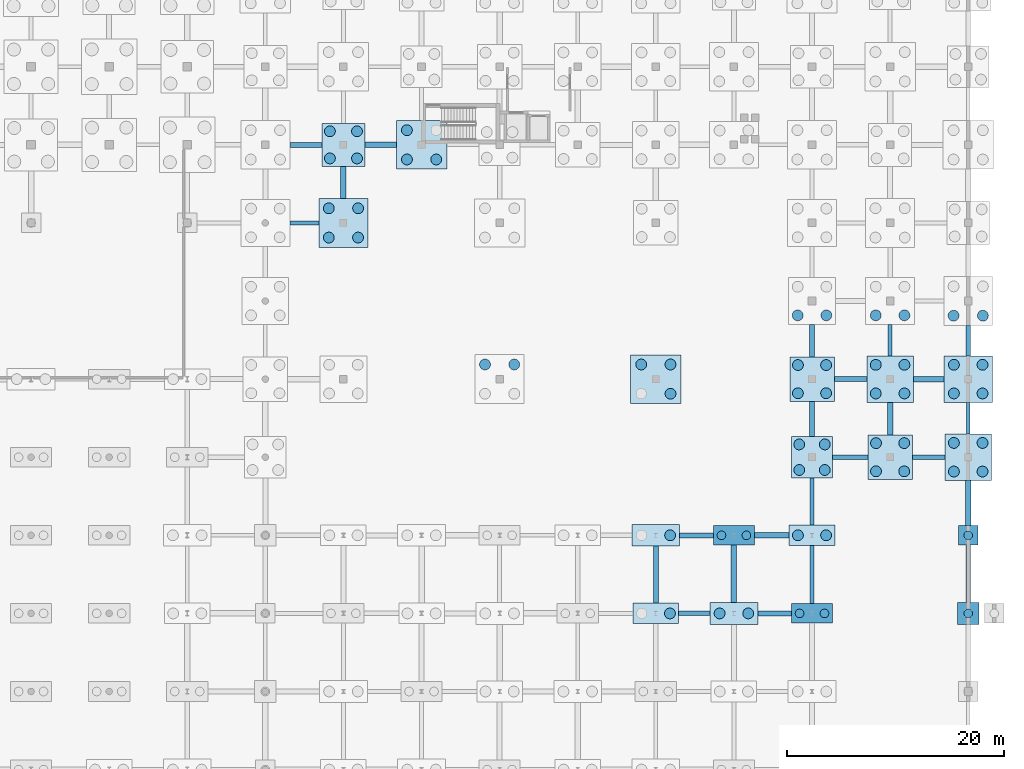
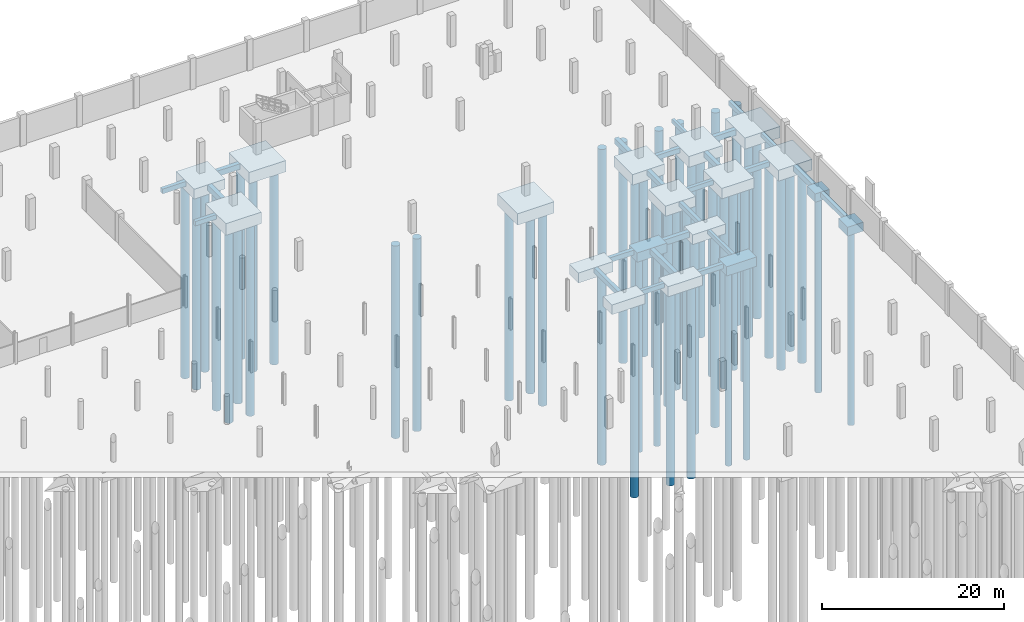
# One storey, part 16 of 56: 58 piles, 42 footings.
"""IFC4 building model written with IfcOpenShell, lengths in metres."""

from ifc_helpers import new_model, si_unit, direction, frame, origin, origin_2d, place, context, subcontext, project, spatial, rectangle, circle, extrude, material, material_profile, profile_set, type_object, element, save


model = new_model("IFC4")

# Units and contexts
model_context = context("Model", 3, precision=1e-05, world=origin(), true_north=direction((0.0, 1.0)))
body_context = subcontext(model_context, "Body", "Model", "MODEL_VIEW")
ifc_project = project(units=[si_unit("LENGTHUNIT", "METRE"), si_unit("AREAUNIT", "SQUARE_METRE"), si_unit("VOLUMEUNIT", "CUBIC_METRE"), si_unit("PLANEANGLEUNIT", "RADIAN"), si_unit("MASSUNIT", "GRAM", prefix="KILO")], contexts=[model_context])

# Site, building, storey
site_placement = place(None, origin())
site = spatial("IfcSite", under=ifc_project, at=site_placement, CompositionType="ELEMENT")
building_placement = place(site_placement, origin())
building = spatial("IfcBuilding", under=site, at=building_placement, Name="Suanplinth Sawtooth Commons", CompositionType="ELEMENT")
storey_placement = place(building_placement, frame((0.0, 0.0, -4.199951171875)))
storey = spatial("IfcBuildingStorey", under=building, at=storey_placement, Name="B1", CompositionType="ELEMENT", Elevation=-4.199951171875)

# Footings
ifc_material_1 = material(Name="Concrete C35/45", Category="concrete")
ifc_material_profile_1 = material_profile(ifc_material_1, rectangle(XDim=0.449951171875, YDim=0.64990234375, at=origin_2d()), Name="PC-GDR 450x650")
ifc_profile_set_1 = profile_set([ifc_material_profile_1], Name="Concrete C35/45")
footing_type_1 = type_object("IfcFootingType", Name="FB-01", PredefinedType="FOOTING_BEAM", material=ifc_profile_set_1)
footing_1_placement = place(storey_placement, frame((124.64990234375, 108.0, -0.824951171875), z_axis=(1.0, 0.0, 0.0), x_axis=(0.0, 1.0, 0.0)))
element("IfcFooting", 1, at=footing_1_placement, inside=storey, type_object=footing_type_1, Name="Foundation Tie Beam 18-19/R", PredefinedType="FOOTING_BEAM", context=body_context, shape_type="SweptSolid", body=[
    extrude(rectangle(XDim=0.449951171875, YDim=0.64990234375, at=origin_2d()), origin(), (0.0, 0.0, 1.0), 2.97509765625),
])
footing_2_placement = place(storey_placement, frame((158.39990234375, 65.75, -0.824951171875), z_axis=(0.0, 1.0, 0.0), x_axis=(-1.0, 0.0, 0.0)))
element("IfcFooting", 2, at=footing_2_placement, inside=storey, type_object=footing_type_1, Name="Foundation Tie Beam 23/K-L", PredefinedType="FOOTING_BEAM", context=body_context, shape_type="SweptSolid", body=[
    extrude(rectangle(XDim=0.449951171875, YDim=0.64990234375, at=origin_2d()), origin(), (0.0, 0.0, 1.0), 5.25),
])
for number, where, z_axis, x_axis, name in (
    (3, (160.60009765625, 72.0, -0.824951171875), (1.0, 0.0, 0.0), (0.0, 1.0, 0.0), "Foundation Tie Beam 23-24/L"),
    (4, (167.800048828125, 64.800048828125, -0.824951171875), (1.0, 0.0, 0.0), (0.0, 1.0, 0.0), "Foundation Tie Beam 24-25/K"),
):
    element("IfcFooting", number, at=place(storey_placement, frame(where, z_axis=z_axis, x_axis=x_axis)), inside=storey, type_object=footing_type_1, Name=name, PredefinedType="FOOTING_BEAM", context=body_context, shape_type="SweptSolid", body=[
        extrude(rectangle(XDim=0.449951171875, YDim=0.64990234375, at=origin_2d()), origin(), (0.0, 0.0, 1.0), 3.099853515625),
    ])
footing_3_placement = place(storey_placement, frame((172.800048828125, 81.10009765625, -0.824951171875), z_axis=(0.0, 1.0, 0.0), x_axis=(-1.0, 0.0, 0.0)))
element("IfcFooting", 5, at=footing_3_placement, inside=storey, type_object=footing_type_1, Name="Foundation Tie Beam 25/M-N", PredefinedType="FOOTING_BEAM", context=body_context, shape_type="SweptSolid", body=[
    extrude(rectangle(XDim=0.449951171875, YDim=0.64990234375, at=origin_2d()), origin(), (0.0, 0.0, 1.0), 3.25),
])
for number, where, z_axis, x_axis, name in (
    (6, (174.85009765625, 86.39990234375, -0.824951171875), (1.0, 0.0, 0.0), (0.0, 1.0, 0.0), "Foundation Tie Beam 25-26/N"),
    (7, (182.050048828125, 79.199951171875, -0.824951171875), (1.0, 0.0, 0.0), (0.0, 1.0, 0.0), "Foundation Tie Beam 26-27/M"),
):
    element("IfcFooting", number, at=place(storey_placement, frame(where, z_axis=z_axis, x_axis=x_axis)), inside=storey, type_object=footing_type_1, Name=name, PredefinedType="FOOTING_BEAM", context=body_context, shape_type="SweptSolid", body=[
        extrude(rectangle(XDim=0.449951171875, YDim=0.64990234375, at=origin_2d()), origin(), (0.0, 0.0, 1.0), 3.0),
    ])
footing_4_placement = place(storey_placement, frame((187.199951171875, 65.800048828125, -0.824951171875), z_axis=(0.0, 1.0, 0.0), x_axis=(-1.0, 0.0, 0.0)))
element("IfcFooting", 8, at=footing_4_placement, inside=storey, type_object=footing_type_1, Name="Foundation Tie Beam 27/K-L", PredefinedType="FOOTING_BEAM", context=body_context, shape_type="SweptSolid", body=[
    extrude(rectangle(XDim=0.449951171875, YDim=0.64990234375, at=origin_2d()), origin(), (0.0, 0.0, 1.0), 5.300048828125),
])
ifc_material_profile_2 = material_profile(ifc_material_1, rectangle(XDim=0.5, YDim=0.75, at=origin_2d()), Name="RC-GDR 500x750")
ifc_profile_set_2 = profile_set([ifc_material_profile_2], Name="Concrete C35/45")
footing_type_2 = type_object("IfcFootingType", Name="FB-02", PredefinedType="FOOTING_BEAM", material=ifc_profile_set_2)
footing_5_placement = place(storey_placement, frame((129.60009765625, 103.050048828125, -0.875), z_axis=(0.0, 1.0, 0.0), x_axis=(-1.0, 0.0, 0.0)))
element("IfcFooting", 9, at=footing_5_placement, inside=storey, type_object=footing_type_2, Name="Foundation Tie Beam 19/Q-R", PredefinedType="FOOTING_BEAM", context=body_context, shape_type="SweptSolid", body=[
    extrude(rectangle(XDim=0.5, YDim=0.75, at=origin_2d()), origin(), (0.0, 0.0, 1.0), 2.974853515625),
])
footing_6_placement = place(storey_placement, frame((131.574951171875, 108.0, -0.875), z_axis=(1.0, 0.0, 0.0), x_axis=(0.0, 1.0, 0.0)))
element("IfcFooting", 10, at=footing_6_placement, inside=storey, type_object=footing_type_2, Name="Foundation Tie Beam 19-20/R", PredefinedType="FOOTING_BEAM", context=body_context, shape_type="SweptSolid", body=[
    extrude(rectangle(XDim=0.5, YDim=0.75, at=origin_2d()), origin(), (0.0, 0.0, 1.0), 2.900146484375),
])
footing_7_placement = place(storey_placement, frame((165.60009765625, 65.800048828125, -0.875), z_axis=(0.0, 1.0, 0.0), x_axis=(-1.0, 0.0, 0.0)))
element("IfcFooting", 11, at=footing_7_placement, inside=storey, type_object=footing_type_2, Name="Foundation Tie Beam 24/K-L", PredefinedType="FOOTING_BEAM", context=body_context, shape_type="SweptSolid", body=[
    extrude(rectangle(XDim=0.5, YDim=0.75, at=origin_2d()), origin(), (0.0, 0.0, 1.0), 5.300048828125),
])
footing_8_placement = place(storey_placement, frame((167.5, 72.0, -0.875), z_axis=(1.0, 0.0, 0.0), x_axis=(0.0, 1.0, 0.0)))
element("IfcFooting", 12, at=footing_8_placement, inside=storey, type_object=footing_type_2, Name="Foundation Tie Beam 24-25/L", PredefinedType="FOOTING_BEAM", context=body_context, shape_type="SweptSolid", body=[
    extrude(rectangle(XDim=0.5, YDim=0.75, at=origin_2d()), origin(), (0.0, 0.0, 1.0), 3.199951171875),
])
for number, where, z_axis, x_axis, name in (
    (13, (172.800048828125, 88.449951171875, -0.875), (0.0, 1.0, 0.0), (-1.0, 0.0, 0.0), "Foundation Tie Beam 25/N-P"),
    (14, (180.0, 81.25, -0.875), (0.0, 1.0, 0.0), (-1.0, 0.0, 0.0), "Foundation Tie Beam 26/M-N"),
):
    element("IfcFooting", number, at=place(storey_placement, frame(where, z_axis=z_axis, x_axis=x_axis)), inside=storey, type_object=footing_type_2, Name=name, PredefinedType="FOOTING_BEAM", context=body_context, shape_type="SweptSolid", body=[
        extrude(rectangle(XDim=0.5, YDim=0.75, at=origin_2d()), origin(), (0.0, 0.0, 1.0), 3.0),
    ])
footing_9_placement = place(storey_placement, frame((182.14990234375, 86.39990234375, -0.875), z_axis=(1.0, 0.0, 0.0), x_axis=(0.0, 1.0, 0.0)))
element("IfcFooting", 15, at=footing_9_placement, inside=storey, type_object=footing_type_2, Name="Foundation Tie Beam 26-27/N", PredefinedType="FOOTING_BEAM", context=body_context, shape_type="SweptSolid", body=[
    extrude(rectangle(XDim=0.5, YDim=0.75, at=origin_2d()), origin(), (0.0, 0.0, 1.0), 2.800048828125),
])
footing_10_placement = place(storey_placement, frame((187.199951171875, 72.89990234375, -0.875), z_axis=(0.0, 1.0, 0.0), x_axis=(-1.0, 0.0, 0.0)))
element("IfcFooting", 16, at=footing_10_placement, inside=storey, type_object=footing_type_2, Name="Foundation Tie Beam 27/L-M", PredefinedType="FOOTING_BEAM", context=body_context, shape_type="SweptSolid", body=[
    extrude(rectangle(XDim=0.5, YDim=0.75, at=origin_2d()), origin(), (0.0, 0.0, 1.0), 4.150146484375),
])
ifc_material_profile_3 = material_profile(ifc_material_1, rectangle(XDim=0.35009765625, YDim=0.550048828125, at=origin_2d()), Name="PC-BM 350x550")
ifc_profile_set_3 = profile_set([ifc_material_profile_3], Name="Concrete C35/45")
footing_type_3 = type_object("IfcFootingType", Name="FB-03", PredefinedType="FOOTING_BEAM", material=ifc_profile_set_3)
footing_11_placement = place(storey_placement, frame((172.800048828125, 65.699951171875, -0.775146484375), z_axis=(0.0, 1.0, 0.0), x_axis=(-1.0, 0.0, 0.0)))
element("IfcFooting", 17, at=footing_11_placement, inside=storey, type_object=footing_type_3, Name="Foundation Tie Beam 25/K-L", PredefinedType="FOOTING_BEAM", context=body_context, shape_type="SweptSolid", body=[
    extrude(rectangle(XDim=0.35009765625, YDim=0.550048828125, at=origin_2d()), origin(), (0.0, 0.0, 1.0), 5.35009765625),
])
for number, where, z_axis, x_axis, name in (
    (18, (180.0, 88.550048828125, -0.775146484375), (0.0, 1.0, 0.0), (-1.0, 0.0, 0.0), "Foundation Tie Beam 26/N-P"),
    (19, (187.199951171875, 81.35009765625, -0.775146484375), (0.0, 1.0, 0.0), (-1.0, 0.0, 0.0), "Foundation Tie Beam 27/M-N"),
):
    element("IfcFooting", number, at=place(storey_placement, frame(where, z_axis=z_axis, x_axis=x_axis)), inside=storey, type_object=footing_type_3, Name=name, PredefinedType="FOOTING_BEAM", context=body_context, shape_type="SweptSolid", body=[
        extrude(rectangle(XDim=0.35009765625, YDim=0.550048828125, at=origin_2d()), origin(), (0.0, 0.0, 1.0), 2.89990234375),
    ])
ifc_material_profile_4 = material_profile(ifc_material_1, rectangle(XDim=0.39990234375, YDim=0.60009765625, at=origin_2d()), Name="PC-GDR 400x600")
ifc_profile_set_4 = profile_set([ifc_material_profile_4], Name="Concrete C35/45")
footing_type_4 = type_object("IfcFootingType", Name="FB-04", PredefinedType="FOOTING_BEAM", material=ifc_profile_set_4)
footing_12_placement = place(storey_placement, frame((124.64990234375, 100.800048828125, -0.800048828125), z_axis=(1.0, 0.0, 0.0), x_axis=(0.0, 1.0, 0.0)))
element("IfcFooting", 20, at=footing_12_placement, inside=storey, type_object=footing_type_4, Name="Foundation Tie Beam 18-19/Q", PredefinedType="FOOTING_BEAM", context=body_context, shape_type="SweptSolid", body=[
    extrude(rectangle(XDim=0.39990234375, YDim=0.60009765625, at=origin_2d()), origin(), (0.0, 0.0, 1.0), 2.7001953125),
])
footing_13_placement = place(storey_placement, frame((160.5, 64.800048828125, -0.800048828125), z_axis=(1.0, 0.0, 0.0), x_axis=(0.0, 1.0, 0.0)))
element("IfcFooting", 21, at=footing_13_placement, inside=storey, type_object=footing_type_4, Name="Foundation Tie Beam 23-24/K", PredefinedType="FOOTING_BEAM", context=body_context, shape_type="SweptSolid", body=[
    extrude(rectangle(XDim=0.39990234375, YDim=0.60009765625, at=origin_2d()), origin(), (0.0, 0.0, 1.0), 2.89990234375),
])
footing_14_placement = place(storey_placement, frame((172.800048828125, 72.949951171875, -0.800048828125), z_axis=(0.0, 1.0, 0.0), x_axis=(-1.0, 0.0, 0.0)))
element("IfcFooting", 22, at=footing_14_placement, inside=storey, type_object=footing_type_4, Name="Foundation Tie Beam 25/L-M", PredefinedType="FOOTING_BEAM", context=body_context, shape_type="SweptSolid", body=[
    extrude(rectangle(XDim=0.39990234375, YDim=0.60009765625, at=origin_2d()), origin(), (0.0, 0.0, 1.0), 4.35009765625),
])
footing_15_placement = place(storey_placement, frame((174.699951171875, 79.199951171875, -0.800048828125), z_axis=(1.0, 0.0, 0.0), x_axis=(0.0, 1.0, 0.0)))
element("IfcFooting", 23, at=footing_15_placement, inside=storey, type_object=footing_type_4, Name="Foundation Tie Beam 25-26/M", PredefinedType="FOOTING_BEAM", context=body_context, shape_type="SweptSolid", body=[
    extrude(rectangle(XDim=0.39990234375, YDim=0.60009765625, at=origin_2d()), origin(), (0.0, 0.0, 1.0), 3.25),
])
footing_16_placement = place(storey_placement, frame((187.199951171875, 88.550048828125, -0.800048828125), z_axis=(0.0, 1.0, 0.0), x_axis=(-1.0, 0.0, 0.0)))
element("IfcFooting", 24, at=footing_16_placement, inside=storey, type_object=footing_type_4, Name="Foundation Tie Beam 27/N-P", PredefinedType="FOOTING_BEAM", context=body_context, shape_type="SweptSolid", body=[
    extrude(rectangle(XDim=0.39990234375, YDim=0.60009765625, at=origin_2d()), origin(), (0.0, 0.0, 1.0), 2.800048828125),
])
footing_type_5 = type_object("IfcFootingType", Name="FC-01", PredefinedType="PILE_CAP", material=ifc_material_1)
footing_17_placement = place(storey_placement, frame((187.199951171875, 72.0, -1.60009765625), z_axis=(0.0, 0.0, 1.0), x_axis=(1.0, 0.0, 0.0)))
element("IfcFooting", 25, at=footing_17_placement, inside=storey, type_object=footing_type_5, Name="Pile Cap 27/L", PredefinedType="PILE_CAP", context=body_context, shape_type="SweptSolid", body=[
    extrude(rectangle(XDim=1.800048828125, YDim=1.800048828125, at=origin_2d()), origin(), (0.0, 0.0, 1.0), 1.10009765625),
])
footing_type_6 = type_object("IfcFootingType", Name="FC-02", PredefinedType="PILE_CAP", material=ifc_material_1)
footing_18_placement = place(storey_placement, frame((187.199951171875, 64.800048828125, -1.7001953125), z_axis=(0.0, 0.0, 1.0), x_axis=(1.0, 0.0, 0.0)))
element("IfcFooting", 26, at=footing_18_placement, inside=storey, type_object=footing_type_6, Name="Pile Cap 27/K", PredefinedType="PILE_CAP", context=body_context, shape_type="SweptSolid", body=[
    extrude(rectangle(XDim=2.0, YDim=2.0, at=origin_2d()), origin(), (0.0, 0.0, 1.0), 1.199951171875),
])
footing_type_7 = type_object("IfcFootingType", Name="FC-03", PredefinedType="PILE_CAP", material=ifc_material_1)
for number, where, z_axis, x_axis, name in (
    (27, (165.60009765625, 72.0, -1.75), (0.0, 0.0, 1.0), (1.0, 0.0, 0.0), "Pile Cap 24/L"),
    (28, (172.800048828125, 64.800048828125, -1.75), (0.0, 0.0, 1.0), (1.0, 0.0, 0.0), "Pile Cap 25/K"),
):
    element("IfcFooting", number, at=place(storey_placement, frame(where, z_axis=z_axis, x_axis=x_axis)), inside=storey, type_object=footing_type_7, Name=name, PredefinedType="PILE_CAP", context=body_context, shape_type="SweptSolid", body=[
        extrude(rectangle(XDim=3.800048828125, YDim=1.800048828125, at=origin_2d()), origin(), (0.0, 0.0, 1.0), 1.25),
    ])
footing_type_8 = type_object("IfcFootingType", Name="FC-04", PredefinedType="PILE_CAP", material=ifc_material_1)
for number, where, z_axis, x_axis, name in (
    (29, (158.39990234375, 64.800048828125, -1.80029296875), (0.0, 0.0, 1.0), (1.0, 0.0, 0.0), "Pile Cap 23/K"),
    (30, (172.800048828125, 72.0, -1.80029296875), (0.0, 0.0, 1.0), (1.0, 0.0, 0.0), "Pile Cap 25/L"),
):
    element("IfcFooting", number, at=place(storey_placement, frame(where, z_axis=z_axis, x_axis=x_axis)), inside=storey, type_object=footing_type_8, Name=name, PredefinedType="PILE_CAP", context=body_context, shape_type="SweptSolid", body=[
        extrude(rectangle(XDim=4.199951171875, YDim=1.89990234375, at=origin_2d()), origin(), (0.0, 0.0, 1.0), 1.300048828125),
    ])
footing_type_9 = type_object("IfcFootingType", Name="FC-05", PredefinedType="PILE_CAP", material=ifc_material_1)
for number, where, z_axis, x_axis, name in (
    (31, (158.39990234375, 72.0, -1.85009765625), (0.0, 0.0, 1.0), (1.0, 0.0, 0.0), "Pile Cap 23/L"),
    (32, (165.60009765625, 64.800048828125, -1.85009765625), (0.0, 0.0, 1.0), (1.0, 0.0, 0.0), "Pile Cap 24/K"),
):
    element("IfcFooting", number, at=place(storey_placement, frame(where, z_axis=z_axis, x_axis=x_axis)), inside=storey, type_object=footing_type_9, Name=name, PredefinedType="PILE_CAP", context=body_context, shape_type="SweptSolid", body=[
        extrude(rectangle(XDim=4.39990234375, YDim=2.0, at=origin_2d()), origin(), (0.0, 0.0, 1.0), 1.35009765625),
    ])
footing_type_10 = type_object("IfcFootingType", Name="FC-06", PredefinedType="PILE_CAP", material=ifc_material_1)
footing_19_placement = place(storey_placement, frame((172.800048828125, 79.199951171875, -1.85009765625), z_axis=(0.0, 0.0, 1.0), x_axis=(1.0, 0.0, 0.0)))
element("IfcFooting", 33, at=footing_19_placement, inside=storey, type_object=footing_type_10, Name="Pile Cap 25/M", PredefinedType="PILE_CAP", context=body_context, shape_type="SweptSolid", body=[
    extrude(rectangle(XDim=3.800048828125, YDim=3.800048828125, at=origin_2d()), origin(), (0.0, 0.0, 1.0), 1.35009765625),
])
footing_type_11 = type_object("IfcFootingType", Name="FC-07", PredefinedType="PILE_CAP", material=ifc_material_1)
for number, where, z_axis, x_axis, name in (
    (34, (172.800048828125, 86.39990234375, -1.89990234375), (0.0, 0.0, 1.0), (1.0, 0.0, 0.0), "Pile Cap 25/N"),
    (35, (180.0, 79.199951171875, -1.89990234375), (0.0, 0.0, 1.0), (1.0, 0.0, 0.0), "Pile Cap 26/M"),
):
    element("IfcFooting", number, at=place(storey_placement, frame(where, z_axis=z_axis, x_axis=x_axis)), inside=storey, type_object=footing_type_11, Name=name, PredefinedType="PILE_CAP", context=body_context, shape_type="SweptSolid", body=[
        extrude(rectangle(XDim=4.10009765625, YDim=4.10009765625, at=origin_2d()), origin(), (0.0, 0.0, 1.0), 1.39990234375),
    ])
footing_type_12 = type_object("IfcFootingType", Name="FC-08", PredefinedType="PILE_CAP", material=ifc_material_1)
for number, where, z_axis, x_axis, name in (
    (36, (180.0, 86.39990234375, -1.9501953125), (0.0, 0.0, 1.0), (1.0, 0.0, 0.0), "Pile Cap 26/N"),
    (37, (187.199951171875, 79.199951171875, -1.9501953125), (0.0, 0.0, 1.0), (1.0, 0.0, 0.0), "Pile Cap 27/M"),
):
    element("IfcFooting", number, at=place(storey_placement, frame(where, z_axis=z_axis, x_axis=x_axis)), inside=storey, type_object=footing_type_12, Name=name, PredefinedType="PILE_CAP", context=body_context, shape_type="SweptSolid", body=[
        extrude(rectangle(XDim=4.300048828125, YDim=4.300048828125, at=origin_2d()), origin(), (0.0, 0.0, 1.0), 1.449951171875),
    ])
footing_type_13 = type_object("IfcFootingType", Name="FC-09", PredefinedType="PILE_CAP", material=ifc_material_1)
footing_20_placement = place(storey_placement, frame((187.199951171875, 86.39990234375, -2.0), z_axis=(0.0, 0.0, 1.0), x_axis=(1.0, 0.0, 0.0)))
element("IfcFooting", 38, at=footing_20_placement, inside=storey, type_object=footing_type_13, Name="Pile Cap 27/N", PredefinedType="PILE_CAP", context=body_context, shape_type="SweptSolid", body=[
    extrude(rectangle(XDim=4.5, YDim=4.300048828125, at=origin_2d()), origin(), (0.0, 0.0, 1.0), 1.5),
])
footing_type_14 = type_object("IfcFootingType", Name="FC-10", PredefinedType="PILE_CAP", material=ifc_material_1)
footing_21_placement = place(storey_placement, frame((129.60009765625, 100.800048828125, -2.05029296875), z_axis=(0.0, 0.0, 1.0), x_axis=(1.0, 0.0, 0.0)))
element("IfcFooting", 39, at=footing_21_placement, inside=storey, type_object=footing_type_14, Name="Pile Cap 19/Q", PredefinedType="PILE_CAP", context=body_context, shape_type="SweptSolid", body=[
    extrude(rectangle(XDim=4.5, YDim=4.5, at=origin_2d()), origin(), (0.0, 0.0, 1.0), 1.550048828125),
])
footing_type_15 = type_object("IfcFootingType", Name="FC-15", PredefinedType="PILE_CAP", material=ifc_material_1)
footing_22_placement = place(storey_placement, frame((129.60009765625, 108.0, -1.8203125), z_axis=(0.0, 0.0, 1.0), x_axis=(1.0, 0.0, 0.0)))
element("IfcFooting", 40, at=footing_22_placement, inside=storey, type_object=footing_type_15, Name="Pile Cap 19/R", PredefinedType="PILE_CAP", context=body_context, shape_type="SweptSolid", body=[
    extrude(rectangle(XDim=3.949951171875, YDim=3.949951171875, at=origin_2d()), origin(), (0.0, 0.0, 1.0), 1.320068359375),
])
footing_type_16 = type_object("IfcFootingType", Name="FC-16", PredefinedType="PILE_CAP", material=ifc_material_1)
for number, where, z_axis, x_axis, name in (
    (41, (136.800048828125, 108.0, -2.02001953125), (0.0, 0.0, 1.0), (1.0, 0.0, 0.0), "Pile Cap 20/R"),
    (42, (158.39990234375, 86.39990234375, -2.02001953125), (0.0, 0.0, 1.0), (1.0, 0.0, 0.0), "Pile Cap 23/N"),
):
    element("IfcFooting", number, at=place(storey_placement, frame(where, z_axis=z_axis, x_axis=x_axis)), inside=storey, type_object=footing_type_16, Name=name, PredefinedType="PILE_CAP", context=body_context, shape_type="SweptSolid", body=[
        extrude(rectangle(XDim=4.64990234375, YDim=4.449951171875, at=origin_2d()), origin(), (0.0, 0.0, 1.0), 1.52001953125),
    ])

# Piles
ifc_material_2 = material(Name="Concrete C32/40", Category="concrete")
ifc_material_profile_5 = material_profile(ifc_material_2, circle(Radius=0.39990234375, at=origin_2d()), Name="PILE D800")
ifc_profile_set_5 = profile_set([ifc_material_profile_5], Name="Concrete C32/40")
pile_type_1 = type_object("IfcPileType", Name="P-01", PredefinedType="BORED", material=ifc_profile_set_5)
for number, where, z_axis, x_axis, name in (
    (43, (164.449951171875, 72.0, -1.650146484375), (0.0, 0.0, -1.0), (1.0, 0.0, 0.0), "Bored Pile 24/L-1"),
    (44, (166.75, 72.0, -1.650146484375), (0.0, 0.0, -1.0), (1.0, 0.0, 0.0), "Bored Pile 24/L-2"),
    (45, (171.64990234375, 64.800048828125, -1.650146484375), (0.0, 0.0, -1.0), (1.0, 0.0, 0.0), "Bored Pile 25/K-1"),
    (46, (173.949951171875, 64.800048828125, -1.650146484375), (0.0, 0.0, -1.0), (1.0, 0.0, 0.0), "Bored Pile 25/K-2"),
):
    element("IfcPile", number, at=place(storey_placement, frame(where, z_axis=z_axis, x_axis=x_axis)), inside=storey, type_object=pile_type_1, Name=name, PredefinedType="BORED", context=body_context, shape_type="SweptSolid", body=[
        extrude(circle(Radius=0.39990234375, at=origin_2d()), origin(), (0.0, 0.0, 1.0), 26.14990234375),
    ])
pile_1_placement = place(storey_placement, frame((187.199951171875, 64.800048828125, -1.60009765625), z_axis=(0.0, 0.0, -1.0), x_axis=(1.0, 0.0, 0.0)))
element("IfcPile", 47, at=pile_1_placement, inside=storey, type_object=pile_type_1, Name="Bored Pile 27/K-1", PredefinedType="BORED", context=body_context, shape_type="SweptSolid", body=[
    extrude(circle(Radius=0.39990234375, at=origin_2d()), origin(), (0.0, 0.0, 1.0), 26.199951171875),
])
pile_2_placement = place(storey_placement, frame((187.199951171875, 72.0, -1.5), z_axis=(0.0, 0.0, -1.0), x_axis=(1.0, 0.0, 0.0)))
element("IfcPile", 48, at=pile_2_placement, inside=storey, type_object=pile_type_1, Name="Bored Pile 27/L-1", PredefinedType="BORED", context=body_context, shape_type="SweptSolid", body=[
    extrude(circle(Radius=0.39990234375, at=origin_2d()), origin(), (0.0, 0.0, 1.0), 26.300048828125),
])
ifc_material_profile_6 = material_profile(ifc_material_2, circle(Radius=0.5, at=origin_2d()), Name="PILE D1000")
ifc_profile_set_6 = profile_set([ifc_material_profile_6], Name="Concrete C32/40")
pile_type_2 = type_object("IfcPileType", Name="P-02", PredefinedType="BORED", material=ifc_profile_set_6)
for number, where, z_axis, x_axis, name in (
    (49, (128.25, 99.449951171875, -1.949951171875), (0.0, 0.0, -1.0), (1.0, 0.0, 0.0), "Bored Pile 19/Q-1"),
    (50, (130.949951171875, 99.449951171875, -1.949951171875), (0.0, 0.0, -1.0), (1.0, 0.0, 0.0), "Bored Pile 19/Q-2"),
    (51, (128.25, 102.14990234375, -1.949951171875), (0.0, 0.0, -1.0), (1.0, 0.0, 0.0), "Bored Pile 19/Q-3"),
    (52, (130.949951171875, 102.14990234375, -1.949951171875), (0.0, 0.0, -1.0), (1.0, 0.0, 0.0), "Bored Pile 19/Q-4"),
):
    element("IfcPile", number, at=place(storey_placement, frame(where, z_axis=z_axis, x_axis=x_axis)), inside=storey, type_object=pile_type_2, Name=name, PredefinedType="BORED", context=body_context, shape_type="SweptSolid", body=[
        extrude(circle(Radius=0.5, at=origin_2d()), origin(), (0.0, 0.0, 1.0), 25.85009765625),
    ])
for number, where, z_axis, x_axis, name in (
    (53, (128.35009765625, 106.75, -1.719970703125), (0.0, 0.0, -1.0), (1.0, 0.0, 0.0), "Bored Pile 19/R-1"),
    (54, (130.85009765625, 106.75, -1.719970703125), (0.0, 0.0, -1.0), (1.0, 0.0, 0.0), "Bored Pile 19/R-2"),
    (55, (128.35009765625, 109.25, -1.719970703125), (0.0, 0.0, -1.0), (1.0, 0.0, 0.0), "Bored Pile 19/R-3"),
    (56, (130.85009765625, 109.25, -1.719970703125), (0.0, 0.0, -1.0), (1.0, 0.0, 0.0), "Bored Pile 19/R-4"),
):
    element("IfcPile", number, at=place(storey_placement, frame(where, z_axis=z_axis, x_axis=x_axis)), inside=storey, type_object=pile_type_2, Name=name, PredefinedType="BORED", context=body_context, shape_type="SweptSolid", body=[
        extrude(circle(Radius=0.5, at=origin_2d()), origin(), (0.0, 0.0, 1.0), 26.080078125),
    ])
for number, where, z_axis, x_axis, name in (
    (57, (135.449951171875, 106.64990234375, -1.920166015625), (0.0, 0.0, -1.0), (1.0, 0.0, 0.0), "Bored Pile 20/R-1"),
    (58, (138.14990234375, 106.64990234375, -1.920166015625), (0.0, 0.0, -1.0), (1.0, 0.0, 0.0), "Bored Pile 20/R-2"),
    (59, (135.449951171875, 109.35009765625, -1.920166015625), (0.0, 0.0, -1.0), (1.0, 0.0, 0.0), "Bored Pile 20/R-3"),
):
    element("IfcPile", number, at=place(storey_placement, frame(where, z_axis=z_axis, x_axis=x_axis)), inside=storey, type_object=pile_type_2, Name=name, PredefinedType="BORED", context=body_context, shape_type="SweptSolid", body=[
        extrude(circle(Radius=0.5, at=origin_2d()), origin(), (0.0, 0.0, 1.0), 25.8798828125),
    ])
for number, where, z_axis, x_axis, name in (
    (60, (142.64990234375, 87.75, -1.949951171875), (0.0, 0.0, -1.0), (1.0, 0.0, 0.0), "Bored Pile 21/N-3"),
    (61, (145.35009765625, 87.75, -1.949951171875), (0.0, 0.0, -1.0), (1.0, 0.0, 0.0), "Bored Pile 21/N-4"),
):
    element("IfcPile", number, at=place(storey_placement, frame(where, z_axis=z_axis, x_axis=x_axis)), inside=storey, type_object=pile_type_2, Name=name, PredefinedType="BORED", context=body_context, shape_type="SweptSolid", body=[
        extrude(circle(Radius=0.5, at=origin_2d()), origin(), (0.0, 0.0, 1.0), 25.85009765625),
    ])
pile_3_placement = place(storey_placement, frame((159.699951171875, 64.800048828125, -1.699951171875), z_axis=(0.0, 0.0, -1.0), x_axis=(1.0, 0.0, 0.0)))
element("IfcPile", 62, at=pile_3_placement, inside=storey, type_object=pile_type_2, Name="Bored Pile 23/K-2", PredefinedType="BORED", context=body_context, shape_type="SweptSolid", body=[
    extrude(circle(Radius=0.5, at=origin_2d()), origin(), (0.0, 0.0, 1.0), 26.10009765625),
])
pile_4_placement = place(storey_placement, frame((159.719970703125, 72.0, -1.75), z_axis=(0.0, 0.0, -1.0), x_axis=(1.0, 0.0, 0.0)))
element("IfcPile", 63, at=pile_4_placement, inside=storey, type_object=pile_type_2, Name="Bored Pile 23/L-2", PredefinedType="BORED", context=body_context, shape_type="SweptSolid", body=[
    extrude(circle(Radius=0.5, at=origin_2d()), origin(), (0.0, 0.0, 1.0), 26.050048828125),
])
for number, where, z_axis, x_axis, name in (
    (64, (159.75, 85.050048828125, -1.920166015625), (0.0, 0.0, -1.0), (1.0, 0.0, 0.0), "Bored Pile 23/N-2"),
    (65, (157.050048828125, 87.75, -1.920166015625), (0.0, 0.0, -1.0), (1.0, 0.0, 0.0), "Bored Pile 23/N-3"),
    (66, (159.75, 87.75, -1.920166015625), (0.0, 0.0, -1.0), (1.0, 0.0, 0.0), "Bored Pile 23/N-4"),
):
    element("IfcPile", number, at=place(storey_placement, frame(where, z_axis=z_axis, x_axis=x_axis)), inside=storey, type_object=pile_type_2, Name=name, PredefinedType="BORED", context=body_context, shape_type="SweptSolid", body=[
        extrude(circle(Radius=0.5, at=origin_2d()), origin(), (0.0, 0.0, 1.0), 25.8798828125),
    ])
for number, where, z_axis, x_axis, name in (
    (67, (164.280029296875, 64.800048828125, -1.75), (0.0, 0.0, -1.0), (1.0, 0.0, 0.0), "Bored Pile 24/K-1"),
    (68, (166.919921875, 64.800048828125, -1.75), (0.0, 0.0, -1.0), (1.0, 0.0, 0.0), "Bored Pile 24/K-2"),
):
    element("IfcPile", number, at=place(storey_placement, frame(where, z_axis=z_axis, x_axis=x_axis)), inside=storey, type_object=pile_type_2, Name=name, PredefinedType="BORED", context=body_context, shape_type="SweptSolid", body=[
        extrude(circle(Radius=0.5, at=origin_2d()), origin(), (0.0, 0.0, 1.0), 26.050048828125),
    ])
for number, where, z_axis, x_axis, name in (
    (69, (171.5, 72.0, -1.699951171875), (0.0, 0.0, -1.0), (1.0, 0.0, 0.0), "Bored Pile 25/L-1"),
    (70, (174.10009765625, 72.0, -1.699951171875), (0.0, 0.0, -1.0), (1.0, 0.0, 0.0), "Bored Pile 25/L-2"),
):
    element("IfcPile", number, at=place(storey_placement, frame(where, z_axis=z_axis, x_axis=x_axis)), inside=storey, type_object=pile_type_2, Name=name, PredefinedType="BORED", context=body_context, shape_type="SweptSolid", body=[
        extrude(circle(Radius=0.5, at=origin_2d()), origin(), (0.0, 0.0, 1.0), 26.10009765625),
    ])
for number, where, z_axis, x_axis, name in (
    (71, (171.6201171875, 78.02001953125, -1.75), (0.0, 0.0, -1.0), (1.0, 0.0, 0.0), "Bored Pile 25/M-1"),
    (72, (173.97998046875, 78.02001953125, -1.75), (0.0, 0.0, -1.0), (1.0, 0.0, 0.0), "Bored Pile 25/M-2"),
    (73, (171.6201171875, 80.3798828125, -1.75), (0.0, 0.0, -1.0), (1.0, 0.0, 0.0), "Bored Pile 25/M-3"),
    (74, (173.97998046875, 80.3798828125, -1.75), (0.0, 0.0, -1.0), (1.0, 0.0, 0.0), "Bored Pile 25/M-4"),
):
    element("IfcPile", number, at=place(storey_placement, frame(where, z_axis=z_axis, x_axis=x_axis)), inside=storey, type_object=pile_type_2, Name=name, PredefinedType="BORED", context=body_context, shape_type="SweptSolid", body=[
        extrude(circle(Radius=0.5, at=origin_2d()), origin(), (0.0, 0.0, 1.0), 26.050048828125),
    ])
for number, where, z_axis, x_axis, name in (
    (75, (171.5, 85.10009765625, -1.800048828125), (0.0, 0.0, -1.0), (1.0, 0.0, 0.0), "Bored Pile 25/N-1"),
    (76, (174.10009765625, 85.10009765625, -1.800048828125), (0.0, 0.0, -1.0), (1.0, 0.0, 0.0), "Bored Pile 25/N-2"),
    (77, (171.5, 87.699951171875, -1.800048828125), (0.0, 0.0, -1.0), (1.0, 0.0, 0.0), "Bored Pile 25/N-3"),
    (78, (174.10009765625, 87.699951171875, -1.800048828125), (0.0, 0.0, -1.0), (1.0, 0.0, 0.0), "Bored Pile 25/N-4"),
):
    element("IfcPile", number, at=place(storey_placement, frame(where, z_axis=z_axis, x_axis=x_axis)), inside=storey, type_object=pile_type_2, Name=name, PredefinedType="BORED", context=body_context, shape_type="SweptSolid", body=[
        extrude(circle(Radius=0.5, at=origin_2d()), origin(), (0.0, 0.0, 1.0), 26.0),
    ])
for number, where, z_axis, x_axis, name in (
    (79, (171.47998046875, 92.280029296875, -1.85009765625), (0.0, 0.0, -1.0), (1.0, 0.0, 0.0), "Bored Pile 25/P-1"),
    (80, (174.1201171875, 92.280029296875, -1.85009765625), (0.0, 0.0, -1.0), (1.0, 0.0, 0.0), "Bored Pile 25/P-2"),
):
    element("IfcPile", number, at=place(storey_placement, frame(where, z_axis=z_axis, x_axis=x_axis)), inside=storey, type_object=pile_type_2, Name=name, PredefinedType="BORED", context=body_context, shape_type="SweptSolid", body=[
        extrude(circle(Radius=0.5, at=origin_2d()), origin(), (0.0, 0.0, 1.0), 25.949951171875),
    ])
for number, where, z_axis, x_axis, name in (
    (81, (178.699951171875, 77.89990234375, -1.800048828125), (0.0, 0.0, -1.0), (1.0, 0.0, 0.0), "Bored Pile 26/M-1"),
    (82, (181.300048828125, 77.89990234375, -1.800048828125), (0.0, 0.0, -1.0), (1.0, 0.0, 0.0), "Bored Pile 26/M-2"),
    (83, (178.699951171875, 80.5, -1.800048828125), (0.0, 0.0, -1.0), (1.0, 0.0, 0.0), "Bored Pile 26/M-3"),
    (84, (181.300048828125, 80.5, -1.800048828125), (0.0, 0.0, -1.0), (1.0, 0.0, 0.0), "Bored Pile 26/M-4"),
):
    element("IfcPile", number, at=place(storey_placement, frame(where, z_axis=z_axis, x_axis=x_axis)), inside=storey, type_object=pile_type_2, Name=name, PredefinedType="BORED", context=body_context, shape_type="SweptSolid", body=[
        extrude(circle(Radius=0.5, at=origin_2d()), origin(), (0.0, 0.0, 1.0), 26.0),
    ])
for number, where, z_axis, x_axis, name in (
    (85, (178.679931640625, 85.080078125, -1.85009765625), (0.0, 0.0, -1.0), (1.0, 0.0, 0.0), "Bored Pile 26/N-1"),
    (86, (181.320068359375, 85.080078125, -1.85009765625), (0.0, 0.0, -1.0), (1.0, 0.0, 0.0), "Bored Pile 26/N-2"),
    (87, (178.679931640625, 87.719970703125, -1.85009765625), (0.0, 0.0, -1.0), (1.0, 0.0, 0.0), "Bored Pile 26/N-3"),
    (88, (181.320068359375, 87.719970703125, -1.85009765625), (0.0, 0.0, -1.0), (1.0, 0.0, 0.0), "Bored Pile 26/N-4"),
):
    element("IfcPile", number, at=place(storey_placement, frame(where, z_axis=z_axis, x_axis=x_axis)), inside=storey, type_object=pile_type_2, Name=name, PredefinedType="BORED", context=body_context, shape_type="SweptSolid", body=[
        extrude(circle(Radius=0.5, at=origin_2d()), origin(), (0.0, 0.0, 1.0), 25.949951171875),
    ])
for number, where, z_axis, x_axis, name in (
    (89, (178.679931640625, 92.280029296875, -1.900146484375), (0.0, 0.0, -1.0), (1.0, 0.0, 0.0), "Bored Pile 26/P-1"),
    (90, (181.320068359375, 92.280029296875, -1.900146484375), (0.0, 0.0, -1.0), (1.0, 0.0, 0.0), "Bored Pile 26/P-2"),
):
    element("IfcPile", number, at=place(storey_placement, frame(where, z_axis=z_axis, x_axis=x_axis)), inside=storey, type_object=pile_type_2, Name=name, PredefinedType="BORED", context=body_context, shape_type="SweptSolid", body=[
        extrude(circle(Radius=0.5, at=origin_2d()), origin(), (0.0, 0.0, 1.0), 25.89990234375),
    ])
for number, where, z_axis, x_axis, name in (
    (91, (185.8798828125, 77.8798828125, -1.85009765625), (0.0, 0.0, -1.0), (1.0, 0.0, 0.0), "Bored Pile 27/M-1"),
    (92, (188.52001953125, 77.8798828125, -1.85009765625), (0.0, 0.0, -1.0), (1.0, 0.0, 0.0), "Bored Pile 27/M-2"),
    (93, (185.8798828125, 80.52001953125, -1.85009765625), (0.0, 0.0, -1.0), (1.0, 0.0, 0.0), "Bored Pile 27/M-3"),
    (94, (188.52001953125, 80.52001953125, -1.85009765625), (0.0, 0.0, -1.0), (1.0, 0.0, 0.0), "Bored Pile 27/M-4"),
):
    element("IfcPile", number, at=place(storey_placement, frame(where, z_axis=z_axis, x_axis=x_axis)), inside=storey, type_object=pile_type_2, Name=name, PredefinedType="BORED", context=body_context, shape_type="SweptSolid", body=[
        extrude(circle(Radius=0.5, at=origin_2d()), origin(), (0.0, 0.0, 1.0), 25.949951171875),
    ])
for number, where, z_axis, x_axis, name in (
    (95, (185.8798828125, 85.080078125, -1.900146484375), (0.0, 0.0, -1.0), (1.0, 0.0, 0.0), "Bored Pile 27/N-1"),
    (96, (188.52001953125, 85.080078125, -1.900146484375), (0.0, 0.0, -1.0), (1.0, 0.0, 0.0), "Bored Pile 27/N-2"),
    (97, (185.8798828125, 87.719970703125, -1.900146484375), (0.0, 0.0, -1.0), (1.0, 0.0, 0.0), "Bored Pile 27/N-3"),
    (98, (188.52001953125, 87.719970703125, -1.900146484375), (0.0, 0.0, -1.0), (1.0, 0.0, 0.0), "Bored Pile 27/N-4"),
):
    element("IfcPile", number, at=place(storey_placement, frame(where, z_axis=z_axis, x_axis=x_axis)), inside=storey, type_object=pile_type_2, Name=name, PredefinedType="BORED", context=body_context, shape_type="SweptSolid", body=[
        extrude(circle(Radius=0.5, at=origin_2d()), origin(), (0.0, 0.0, 1.0), 25.89990234375),
    ])
for number, where, z_axis, x_axis, name in (
    (99, (185.85009765625, 92.25, -1.949951171875), (0.0, 0.0, -1.0), (1.0, 0.0, 0.0), "Bored Pile 27/P-1"),
    (100, (188.550048828125, 92.25, -1.949951171875), (0.0, 0.0, -1.0), (1.0, 0.0, 0.0), "Bored Pile 27/P-2"),
):
    element("IfcPile", number, at=place(storey_placement, frame(where, z_axis=z_axis, x_axis=x_axis)), inside=storey, type_object=pile_type_2, Name=name, PredefinedType="BORED", context=body_context, shape_type="SweptSolid", body=[
        extrude(circle(Radius=0.5, at=origin_2d()), origin(), (0.0, 0.0, 1.0), 25.85009765625),
    ])

save(model, "model.ifc")
